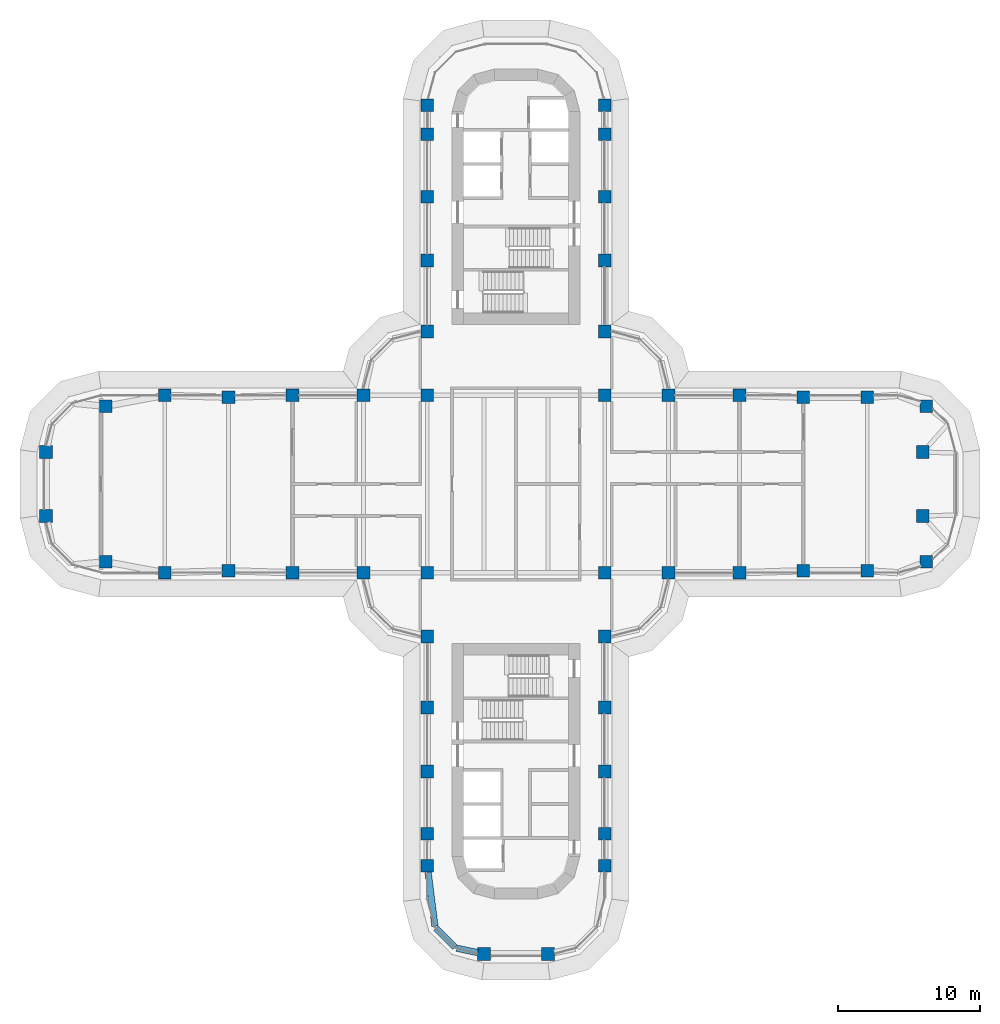
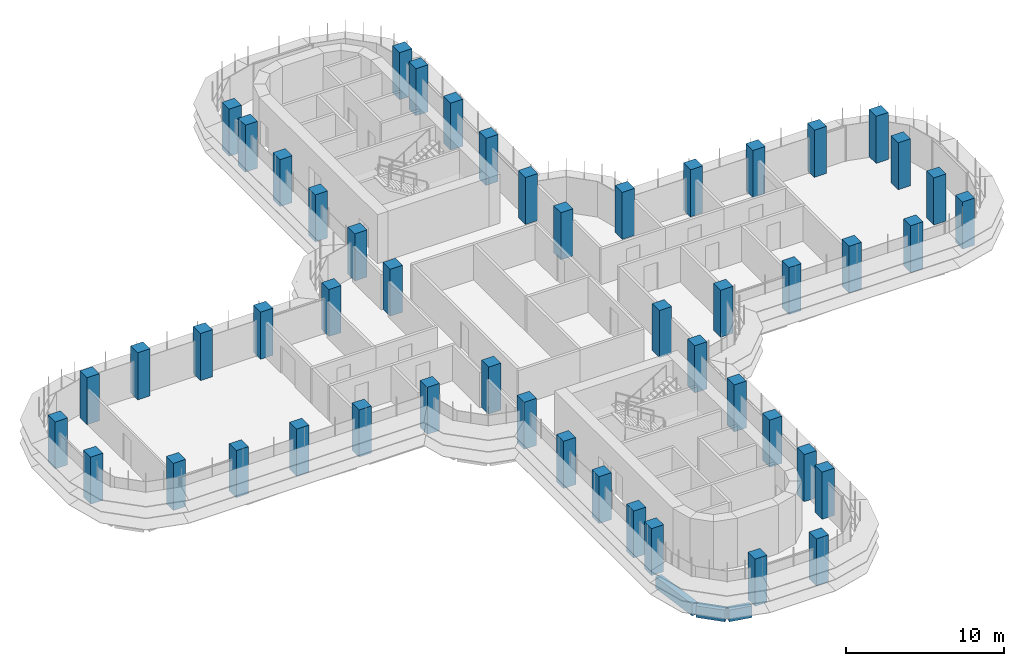
# One storey, part 1 of 22: 50 columns, 3 beams.
"""IFC4 building model written with IfcOpenShell, lengths in metres."""

import ifcopenshell
import ifcopenshell.guid

model = None  # the IFC model being written
_history = None  # IfcOwnerHistory: only IFC2X3 demands one
_inside = {}  # id of a spatial element -> (the spatial element, [elements in it])
_under = {}  # id of a project, library or spatial element -> (it, [spatial elements below it])
_declared = {}  # id of a project -> (the project, [libraries it declares])
_typed = {}  # id of a type object -> (the type object, [elements of that type])
_made_of = {}  # id of a material, layer set ... -> (it, [elements and type objects made of it])


def new_model(schema):
    """Start an empty IFC model of exactly this schema.

    Asked for "IFC4X3", IfcOpenShell would pick the latest addendum, in which some entities
    have other attributes; the version numbers below select the first issue.
    IFC2X3 requires an IfcOwnerHistory on every rooted entity: one is made here for all.
    """
    global model, _history
    if schema == "IFC4X3":
        model = ifcopenshell.file(schema_version=(4, 3, 0, 0))
    else:
        model = ifcopenshell.file(schema=schema)
    _inside.clear()
    _under.clear()
    _declared.clear()
    _typed.clear()
    _made_of.clear()
    _history = None
    if model.schema == "IFC2X3":
        org = make("IfcOrganization", Name="unknown")
        user = make(
            "IfcPersonAndOrganization",
            ThePerson=make("IfcPerson", FamilyName="unknown"),
            TheOrganization=org,
        )
        app = make(
            "IfcApplication",
            ApplicationDeveloper=org,
            Version="unknown",
            ApplicationFullName="unknown",
            ApplicationIdentifier="unknown",
        )
        _history = make(
            "IfcOwnerHistory",
            OwningUser=user,
            OwningApplication=app,
            ChangeAction="ADDED",
            CreationDate=0,
        )
    return model


def make(cls, **values):
    """One entity of the class cls with the attributes given. An attribute that is None is left unset."""
    return model.create_entity(
        cls, **{name: value for name, value in values.items() if value is not None}
    )


def rooted(cls, **values):
    """An entity with a GlobalId (a new one), such as an element, a storey or a relation."""
    return make(cls, GlobalId=ifcopenshell.guid.new(), OwnerHistory=_history, **values)


def si_unit(unit_type, name, prefix=None):
    """IfcSIUnit, for example si_unit("LENGTHUNIT", "METRE", prefix="MILLI")."""
    return make("IfcSIUnit", UnitType=unit_type, Prefix=prefix, Name=name)


def assignment(units):
    """IfcUnitAssignment: the units of a project."""
    return None if units is None else make("IfcUnitAssignment", Units=units)


def point(xyz):
    """IfcCartesianPoint."""
    return None if xyz is None else make("IfcCartesianPoint", Coordinates=xyz)


def direction(xyz):
    """IfcDirection."""
    return None if xyz is None else make("IfcDirection", DirectionRatios=xyz)


def frame(location, z_axis=None, x_axis=None):
    """IfcAxis2Placement3D, a coordinate frame: its origin and axes. An axis left out is left unset."""
    return make(
        "IfcAxis2Placement3D",
        Location=point(location),
        Axis=direction(z_axis),
        RefDirection=direction(x_axis),
    )


def frame_2d(location, x_axis=None):
    """IfcAxis2Placement2D, a coordinate frame in the plane: its origin and x axis."""
    return make(
        "IfcAxis2Placement2D", Location=point(location), RefDirection=direction(x_axis)
    )


def origin():
    """The frame at (0, 0, 0) with its axes left unset."""
    return frame((0.0, 0.0, 0.0))


def origin_2d():
    """The frame at (0, 0) in the plane with its x axis left unset."""
    return frame_2d((0.0, 0.0))


def place(relative_to, where):
    """IfcLocalPlacement: puts the frame where relative to a parent placement (None: the world)."""
    return make(
        "IfcLocalPlacement", PlacementRelTo=relative_to, RelativePlacement=where
    )


def context(
    kind, dimensions, precision=None, world=None, true_north=None, identifier=None
):
    """IfcGeometricRepresentationContext, for example the 3D "Model" context."""
    return make(
        "IfcGeometricRepresentationContext",
        ContextIdentifier=identifier,
        ContextType=kind,
        CoordinateSpaceDimension=dimensions,
        Precision=precision,
        WorldCoordinateSystem=world,
        TrueNorth=true_north,
    )


def subcontext(parent, identifier, kind, view, scale=None):
    """IfcGeometricRepresentationSubContext, for example "Body" below "Model"."""
    return make(
        "IfcGeometricRepresentationSubContext",
        ContextIdentifier=identifier,
        ContextType=kind,
        ParentContext=parent,
        TargetScale=scale,
        TargetView=view,
    )


def project(units=None, contexts=None):
    """IfcProject with its units and contexts."""
    return rooted(
        "IfcProject",
        Name="project",
        RepresentationContexts=contexts,
        UnitsInContext=assignment(units),
    )


def spatial(cls, under=None, at=None, **own):
    """A site, building, storey or space (cls), placed at a placement, below another one or the project."""
    s = rooted(cls, ObjectPlacement=at, **own)
    if under is not None:
        _under.setdefault(under.id(), (under, []))[1].append(s)
    return s


def profile(cls, at=None, kind="AREA", **sizes):
    """A parametric profile (cls). Its sizes go by their IFC names, for example OverallWidth=200.0."""
    return make(cls, ProfileType=kind, Position=at, **sizes)


def rectangle(**sizes):
    """IfcRectangleProfileDef."""
    return profile("IfcRectangleProfileDef", **sizes)


def extrude(swept, where, along, depth):
    """IfcExtrudedAreaSolid: the profile swept, set in the frame where, extruded along a direction by depth."""
    return make(
        "IfcExtrudedAreaSolid",
        SweptArea=swept,
        Position=where,
        ExtrudedDirection=direction(along),
        Depth=depth,
    )


def shape(context_of_items, identifier, shape_type, items):
    """IfcShapeRepresentation: the items that make up one representation, for example the "Body"."""
    return make(
        "IfcShapeRepresentation",
        ContextOfItems=context_of_items,
        RepresentationIdentifier=identifier,
        RepresentationType=shape_type,
        Items=items,
    )


def material(Name=None, Category=None):
    """IfcMaterial."""
    return make("IfcMaterial", Name=Name, Category=Category)


def material_profile(
    of_material, cross_section, Name=None, Category=None, Priority=None
):
    """IfcMaterialProfile: a cross section and its material."""
    return make(
        "IfcMaterialProfile",
        Name=Name,
        Material=of_material,
        Profile=cross_section,
        Priority=Priority,
        Category=Category,
    )


def profile_set(profiles, Name=None, composite=None):
    """IfcMaterialProfileSet."""
    return make(
        "IfcMaterialProfileSet",
        Name=Name,
        MaterialProfiles=profiles,
        CompositeProfile=composite,
    )


def made_of(thing, what):
    """Note that an element or type object is made of a material, layer set ...; save() writes the relation."""
    if what is not None:
        _made_of.setdefault(what.id(), (what, []))[1].append(thing)
    return thing


def type_object(cls, material=None, **own):
    """A type object (cls), such as IfcWallType, which elements share."""
    return made_of(rooted(cls, **own), material)


def element(
    cls,
    number,
    at=None,
    inside=None,
    cuts=None,
    type_object=None,
    material=None,
    context=None,
    identifier="Body",
    shape_type=None,
    held_by="IfcProductDefinitionShape",
    body=None,
    shapes=None,
    **own,
):
    """One element of the class cls, such as IfcWall. Its Tag is "e" and its number.

    at: its placement. inside: the storey or other place that contains it. cuts: it is an
    opening in that element (IfcRelVoidsElement). A single representation is given by context,
    identifier, shape_type and body (its items); several are given by shapes. held_by: the class
    of the entity that holds the representations. save() writes the other relations.
    """
    e = rooted(cls, Tag="e%d" % number, ObjectPlacement=at, **own)
    if body is not None:
        shapes = [shape(context, identifier, shape_type, body)]
    if shapes is not None:
        e.Representation = make(held_by, Representations=shapes)
    if inside is not None:
        _inside.setdefault(inside.id(), (inside, []))[1].append(e)
    if cuts is not None:
        rooted(
            "IfcRelVoidsElement", RelatingBuildingElement=cuts, RelatedOpeningElement=e
        )
    if type_object is not None:
        _typed.setdefault(type_object.id(), (type_object, []))[1].append(e)
    return made_of(e, material)


def aggregate(whole, parts):
    """IfcRelAggregates: a whole, such as a stair, and the parts it consists of."""
    return rooted("IfcRelAggregates", RelatingObject=whole, RelatedObjects=parts)


def save(model, path):
    """Write the relations noted so far, then the file.

    IfcRelAggregates (storeys below a building ...), IfcRelContainedInSpatialStructure (elements
    in a storey), IfcRelDefinesByType, IfcRelAssociatesMaterial and IfcRelDeclares: one each for
    every whole, place, type object, material and project.
    """
    for whole, parts in _under.values():
        aggregate(whole, parts)
    for where, things in _inside.values():
        rooted(
            "IfcRelContainedInSpatialStructure",
            RelatedElements=things,
            RelatingStructure=where,
        )
    for kind, things in _typed.values():
        rooted("IfcRelDefinesByType", RelatedObjects=things, RelatingType=kind)
    for what, things in _made_of.values():
        rooted("IfcRelAssociatesMaterial", RelatedObjects=things, RelatingMaterial=what)
    for by, libraries in _declared.values():
        rooted("IfcRelDeclares", RelatingContext=by, RelatedDefinitions=libraries)
    model.write(path)


model = new_model("IFC4")

# Units and contexts
model_context = context("Model", 3, precision=1e-05, world=origin(), true_north=direction((0.0, 1.0)))
body_context = subcontext(model_context, "Body", "Model", "MODEL_VIEW")
ifc_project = project(units=[si_unit("LENGTHUNIT", "METRE"), si_unit("AREAUNIT", "SQUARE_METRE"), si_unit("VOLUMEUNIT", "CUBIC_METRE"), si_unit("PLANEANGLEUNIT", "RADIAN"), si_unit("MASSUNIT", "GRAM", prefix="KILO")], contexts=[model_context])

# Site, building, storey
site_placement = place(None, origin())
site = spatial("IfcSite", under=ifc_project, at=site_placement, CompositionType="ELEMENT")
building_placement = place(site_placement, origin())
building = spatial("IfcBuilding", under=site, at=building_placement, Name="Zarbagh Exchange Tower", CompositionType="ELEMENT")
storey_placement = place(building_placement, frame((0.0, 0.0, 132.199951171875)))
storey = spatial("IfcBuildingStorey", under=building, at=storey_placement, Name="L31", CompositionType="ELEMENT", Elevation=132.199951171875)

# Columns
ifc_material = material(Name="Concrete C60/75", Category="concrete")
ifc_material_profile_1 = material_profile(ifc_material, rectangle(XDim=0.89990234375, YDim=0.89990234375, at=origin_2d()), Name="RC column 900 x 900 C60/75")
ifc_profile_set_1 = profile_set([ifc_material_profile_1], Name="Concrete C60/75")
column_type = type_object("IfcColumnType", Name="RC column 900 x 900 C60/75", PredefinedType="COLUMN", material=ifc_profile_set_1)
for number, where, z_axis, x_axis, name in (
    (1, (-33.110107421875, -2.25, 0.0), (0.0, 0.0, 1.0), (1.0, 0.0, 0.0), "C3 10/S"),
    (2, (-33.110107421875, 2.25, 0.0), (0.0, 0.0, 1.0), (1.0, 0.0, 0.0), "C3 10/T"),
    (3, (-28.907958984375, -5.47509765625, 0.0), (0.0, 0.0, 1.0), (1.0, 0.0, 0.0), "C3 11/R"),
    (4, (-28.907958984375, 5.47509765625, 0.0), (0.0, 0.0, 1.0), (1.0, 0.0, 0.0), "C3 11/U"),
    (5, (-24.75, -6.25, 0.0), (0.0, 0.0, 1.0), (1.0, 0.0, 0.0), "C3 12/R"),
    (6, (-24.75, 6.25, 0.0), (0.0, 0.0, 1.0), (1.0, 0.0, 0.0), "C3 12/U"),
    (7, (-20.25, -6.110107421875, 0.0), (0.0, 0.0, 1.0), (1.0, 0.0, 0.0), "C3 13/R"),
    (8, (-20.25, 6.110107421875, 0.0), (0.0, 0.0, 1.0), (1.0, 0.0, 0.0), "C3 13/U"),
    (9, (-15.75, -6.25, 0.0), (0.0, 0.0, 1.0), (1.0, 0.0, 0.0), "C3 14/R"),
    (10, (-15.75, 6.25, 0.0), (0.0, 0.0, 1.0), (1.0, 0.0, 0.0), "C3 14/U"),
    (11, (-10.75, -6.25, 0.0), (0.0, 0.0, 1.0), (1.0, 0.0, 0.0), "C3 15/R"),
    (12, (-10.75, 6.25, 0.0), (0.0, 0.0, 1.0), (1.0, 0.0, 0.0), "C3 15/U"),
    (13, (-6.25, -26.89990234375, 0.0), (0.0, 0.0, 1.0), (1.0, 0.0, 0.0), "C3 16/L"),
    (14, (-6.25, -24.64990234375, 0.0), (0.0, 0.0, 1.0), (1.0, 0.0, 0.0), "C3 16/M"),
    (15, (-6.25, -20.25, 0.0), (0.0, 0.0, 1.0), (1.0, 0.0, 0.0), "C3 16/N"),
    (16, (-6.25, -15.75, 0.0), (0.0, 0.0, 1.0), (1.0, 0.0, 0.0), "C3 16/P"),
    (17, (-6.25, -10.75, 0.0), (0.0, 0.0, 1.0), (1.0, 0.0, 0.0), "C3 16/Q"),
    (18, (-6.25, -6.25, 0.0), (0.0, 0.0, 1.0), (1.0, 0.0, 0.0), "C3 16/R"),
    (19, (-6.25, 6.25, 0.0), (0.0, 0.0, 1.0), (1.0, 0.0, 0.0), "C3 16/U"),
    (20, (-6.25, 10.75, 0.0), (0.0, 0.0, 1.0), (1.0, 0.0, 0.0), "C3 16/V"),
    (21, (-6.25, 15.75, 0.0), (0.0, 0.0, 1.0), (1.0, 0.0, 0.0), "C3 16/W"),
    (22, (-6.25, 20.25, 0.0), (0.0, 0.0, 1.0), (1.0, 0.0, 0.0), "C3 16/X"),
    (23, (-6.25, 24.64990234375, 0.0), (0.0, 0.0, 1.0), (1.0, 0.0, 0.0), "C3 16/Y"),
    (24, (-6.25, 26.699951171875, 0.0), (0.0, 0.0, 1.0), (1.0, 0.0, 0.0), "C3 16/Z"),
    (25, (-2.25, -33.110107421875, 0.0), (0.0, 0.0, 1.0), (1.0, 0.0, 0.0), "C3 17/K"),
    (26, (2.25, -33.110107421875, 0.0), (0.0, 0.0, 1.0), (1.0, 0.0, 0.0), "C3 18/K"),
    (27, (6.25, -26.89990234375, 0.0), (0.0, 0.0, 1.0), (1.0, 0.0, 0.0), "C3 19/L"),
    (28, (6.25, -24.64990234375, 0.0), (0.0, 0.0, 1.0), (1.0, 0.0, 0.0), "C3 19/M"),
    (29, (6.25, -20.25, 0.0), (0.0, 0.0, 1.0), (1.0, 0.0, 0.0), "C3 19/N"),
    (30, (6.25, -15.75, 0.0), (0.0, 0.0, 1.0), (1.0, 0.0, 0.0), "C3 19/P"),
    (31, (6.25, -10.75, 0.0), (0.0, 0.0, 1.0), (1.0, 0.0, 0.0), "C3 19/Q"),
    (32, (6.25, -6.25, 0.0), (0.0, 0.0, 1.0), (1.0, 0.0, 0.0), "C3 19/R"),
    (33, (6.25, 6.25, 0.0), (0.0, 0.0, 1.0), (1.0, 0.0, 0.0), "C3 19/U"),
    (34, (6.25, 10.75, 0.0), (0.0, 0.0, 1.0), (1.0, 0.0, 0.0), "C3 19/V"),
    (35, (6.25, 15.75, 0.0), (0.0, 0.0, 1.0), (1.0, 0.0, 0.0), "C3 19/W"),
    (36, (6.25, 20.25, 0.0), (0.0, 0.0, 1.0), (1.0, 0.0, 0.0), "C3 19/X"),
    (37, (6.25, 24.64990234375, 0.0), (0.0, 0.0, 1.0), (1.0, 0.0, 0.0), "C3 19/Y"),
    (38, (6.25, 26.699951171875, 0.0), (0.0, 0.0, 1.0), (1.0, 0.0, 0.0), "C3 19/Z"),
    (39, (10.75, -6.25, 0.0), (0.0, 0.0, 1.0), (1.0, 0.0, 0.0), "C3 20/R"),
    (40, (10.75, 6.25, 0.0), (0.0, 0.0, 1.0), (1.0, 0.0, 0.0), "C3 20/U"),
    (41, (15.75, -6.25, 0.0), (0.0, 0.0, 1.0), (1.0, 0.0, 0.0), "C3 21/R"),
    (42, (15.75, 6.25, 0.0), (0.0, 0.0, 1.0), (1.0, 0.0, 0.0), "C3 21/U"),
    (43, (20.25, -6.110107421875, 0.0), (0.0, 0.0, 1.0), (1.0, 0.0, 0.0), "C3 22/R"),
    (44, (20.25, 6.110107421875, 0.0), (0.0, 0.0, 1.0), (1.0, 0.0, 0.0), "C3 22/U"),
    (45, (24.75, -6.110107421875, 0.0), (0.0, 0.0, 1.0), (1.0, 0.0, 0.0), "C3 23/R"),
    (46, (24.75, 6.110107421875, 0.0), (0.0, 0.0, 1.0), (1.0, 0.0, 0.0), "C3 23/U"),
    (47, (28.907958984375, -5.47509765625, 0.0), (0.0, 0.0, 1.0), (1.0, 0.0, 0.0), "C3 24/R"),
    (48, (28.669921875, -2.25, 0.0), (0.0, 0.0, 1.0), (1.0, 0.0, 0.0), "C3 24/S"),
    (49, (28.669921875, 2.25, 0.0), (0.0, 0.0, 1.0), (1.0, 0.0, 0.0), "C3 24/T"),
    (50, (28.907958984375, 5.47509765625, 0.0), (0.0, 0.0, 1.0), (1.0, 0.0, 0.0), "C3 24/U"),
):
    element("IfcColumn", number, at=place(storey_placement, frame(where, z_axis=z_axis, x_axis=x_axis)), inside=storey, type_object=column_type, Name=name, PredefinedType="COLUMN", context=body_context, shape_type="SweptSolid", body=[
        extrude(rectangle(XDim=0.89990234375, YDim=0.89990234375, at=origin_2d()), origin(), (0.0, 0.0, 1.0), 3.650146484375),
    ])

# Beams
ifc_material_profile_2 = material_profile(ifc_material, rectangle(XDim=0.449951171875, YDim=0.89990234375, at=origin_2d()), Name="RC spandrel beam 450 x 900 C60/75")
ifc_profile_set_2 = profile_set([ifc_material_profile_2], Name="Concrete C60/75")
beam_type = type_object("IfcBeamType", Name="RC spandrel beam 450 x 900 C60/75", PredefinedType="SPANDREL", material=ifc_profile_set_2)
beam_1_placement = place(storey_placement, frame((-2.690673828125, -33.01904296875, -0.599853515625), z_axis=(-0.979328675816, 0.202275417995, 0.0), x_axis=(-0.202275417995, -0.979328675816, 0.0)))
element("IfcBeam", 51, at=beam_1_placement, inside=storey, type_object=beam_type, Name="RC spandrel beam", PredefinedType="SPANDREL", context=body_context, shape_type="SweptSolid", body=[
    extrude(rectangle(XDim=0.449951171875, YDim=0.89990234375, at=origin_2d()), origin(), (0.0, 0.0, 1.0), 1.515869140625),
])
beam_2_placement = place(storey_placement, frame((-4.288818359375, -32.651123046875, -0.599853515625), z_axis=(-0.707106781187, 0.707106781187, 0.0), x_axis=(-0.707106781187, -0.707106781187, 0.0)))
element("IfcBeam", 52, at=beam_2_placement, inside=storey, type_object=beam_type, Name="RC spandrel beam", PredefinedType="SPANDREL", context=body_context, shape_type="SweptSolid", body=[
    extrude(rectangle(XDim=0.449951171875, YDim=0.89990234375, at=origin_2d()), origin(), (0.0, 0.0, 1.0), 1.9169921875),
])
beam_3_placement = place(storey_placement, frame((-5.70849609375, -31.164794921875, -0.599853515625), z_axis=(-0.12597055537, 0.992033980859, 0.0), x_axis=(-0.992033980859, -0.12597055537, 0.0)))
element("IfcBeam", 53, at=beam_3_placement, inside=storey, type_object=beam_type, Name="RC spandrel beam", PredefinedType="SPANDREL", context=body_context, shape_type="SweptSolid", body=[
    extrude(rectangle(XDim=0.449951171875, YDim=0.89990234375, at=origin_2d()), origin(), (0.0, 0.0, 1.0), 3.84912109375),
])

save(model, "model.ifc")
